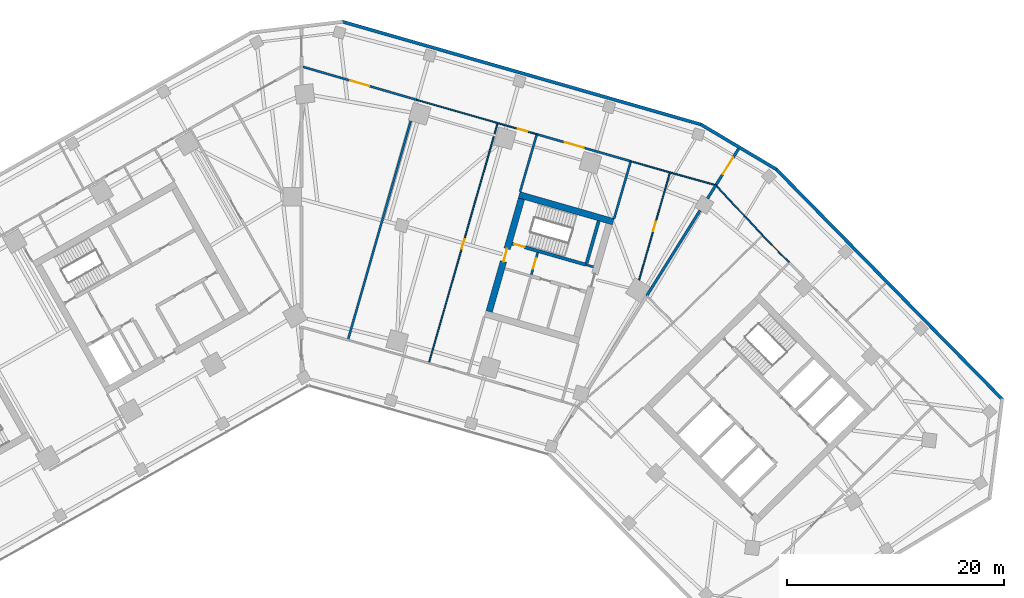
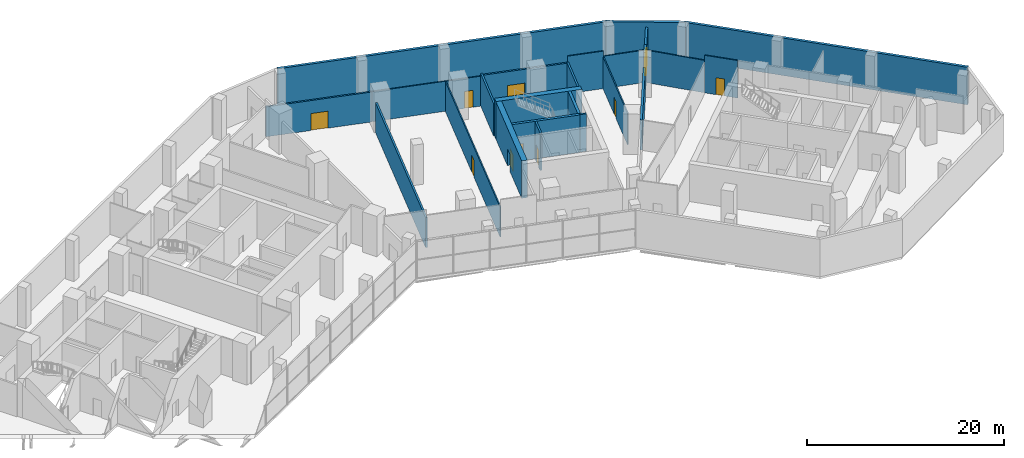
# One storey, part 12 of 15: 25 walls, 10 doors, 10 openings.
"""IFC4 building model written with IfcOpenShell, lengths in metres."""

from ifc_helpers import new_model, si_unit, direction, frame, frame_2d, origin, place, context, subcontext, project, spatial, rectangle, extrude, material, layer, layer_set, type_object, element, fill, save


model = new_model("IFC4")

# Units and contexts
model_context = context("Model", 3, precision=1e-05, world=origin(), true_north=direction((0.0, 1.0)))
body_context = subcontext(model_context, "Body", "Model", "MODEL_VIEW")
ifc_project = project(units=[si_unit("LENGTHUNIT", "METRE"), si_unit("AREAUNIT", "SQUARE_METRE"), si_unit("VOLUMEUNIT", "CUBIC_METRE"), si_unit("PLANEANGLEUNIT", "RADIAN"), si_unit("MASSUNIT", "GRAM", prefix="KILO")], contexts=[model_context])

# Site, building, storey
site_placement = place(None, origin())
site = spatial("IfcSite", under=ifc_project, at=site_placement, CompositionType="ELEMENT")
building_placement = place(site_placement, origin())
building = spatial("IfcBuilding", under=site, at=building_placement, Name="Binnacle Exchange Tower", CompositionType="ELEMENT")
storey_placement = place(building_placement, frame((0.0, 0.0, 16.5)))
storey = spatial("IfcBuildingStorey", under=building, at=storey_placement, Name="L03", CompositionType="ELEMENT", Elevation=16.5)

# Wall
ifc_material_1 = material(Name="Concrete C70/85", Category="concrete")
ifc_layer_1 = layer(ifc_material_1, 0.60009765625)
ifc_layer_set_1 = layer_set([ifc_layer_1], Name="Core wall - outer 600")
wall_type_1 = type_object("IfcWallType", Name="Core wall - outer 600", PredefinedType="SOLIDWALL", material=ifc_layer_set_1)
wall_1_placement = place(storey_placement, frame((20.052734375, 60.1796875, 0.0), z_axis=(0.0, 0.0, 1.0), x_axis=(0.96126248289, -0.275634611374, 0.0)))
element("IfcWall", 1, at=wall_1_placement, inside=storey, type_object=wall_type_1, Name="Core wall CRWD6", PredefinedType="SOLIDWALL", context=body_context, shape_type="SweptSolid", body=[
    extrude(rectangle(XDim=9.0, YDim=0.60009765625, at=frame_2d((4.5, 0.0))), origin(), (0.0, 0.0, 1.0), 4.64990234375),
])

# Wall, opening, door
wall_2_placement = place(storey_placement, frame((17.28173828125, 49.427001953125, 0.0), z_axis=(0.0, 0.0, 1.0), x_axis=(0.275631631629, 0.961263337304, 0.0)))
wall_2 = element("IfcWall", 2, at=wall_2_placement, inside=storey, type_object=wall_type_1, Name="Core wall CRWD7", PredefinedType="SOLIDWALL", context=body_context, shape_type="SweptSolid", body=[
    extrude(rectangle(XDim=10.800048828125, YDim=0.60009765625, at=frame_2d((5.39990234375, 0.0))), origin(), (0.0, 0.0, 1.0), 4.64990234375),
])
opening_1_placement = place(wall_2_placement, frame((4.800048828125, 0.0, 0.0)))
opening_1 = element("IfcOpeningElement", 3, at=opening_1_placement, cuts=wall_2, Name="Opening DD5", PredefinedType="OPENING", context=body_context, shape_type="SweptSolid", body=[
    extrude(rectangle(XDim=1.199951171875, YDim=2.10009765625, at=frame_2d((0.60009765625, 1.050048828125))), frame((0.0, 0.31005859375, 0.0), z_axis=(0.0, -1.0, 0.0), x_axis=(1.0, 0.0, 0.0)), (0.0, 0.0, 1.0), 0.6201171875),
])
ifc_material_2 = material(Name="Steel door leaf", Category="steel")
door_type_1 = type_object("IfcDoorType", Name="Fire door 1200", OperationType="NOTDEFINED", PredefinedType="DOOR", material=ifc_material_2)
door_1_placement = place(opening_1_placement, origin())
door_1 = element("IfcDoor", 4, at=door_1_placement, inside=storey, type_object=door_type_1, Name="Vestibule exit door VEST-W", OperationType="SINGLE_SWING_RIGHT", OverallHeight=2.10009765625, OverallWidth=1.199951171875, PredefinedType="DOOR", context=body_context, shape_type="SweptSolid", body=[
    extrude(rectangle(XDim=1.199951171875, YDim=2.10009765625, at=frame_2d((0.60009765625, 1.050048828125))), frame((0.0, 0.02490234375, 0.0), z_axis=(0.0, -1.0, 0.0), x_axis=(1.0, 0.0, 0.0)), (0.0, 0.0, 1.0), 0.050048828125),
])
fill(opening_1, door_1)

ifc_layer_2 = layer(ifc_material_1, 0.300048828125)
ifc_layer_set_2 = layer_set([ifc_layer_2], Name="Core wall - stair 300")
wall_type_2 = type_object("IfcWallType", Name="Core wall - stair 300", PredefinedType="SOLIDWALL", material=ifc_layer_set_2)
wall_3_placement = place(storey_placement, frame((19.38916015625, 55.688720703125, 0.0), z_axis=(0.0, 0.0, 1.0), x_axis=(0.961261397636, -0.275638396117, 0.0)))
wall_3 = element("IfcWall", 5, at=wall_3_placement, inside=storey, type_object=wall_type_2, Name="Core wall CRWD4", PredefinedType="SOLIDWALL", context=body_context, shape_type="SweptSolid", body=[
    extrude(rectangle(XDim=7.10009765625, YDim=0.300048828125, at=frame_2d((3.550048828125, 0.0))), origin(), (0.0, 0.0, 1.0), 4.64990234375),
])
opening_2_placement = place(wall_3_placement, frame((0.199951171875, 0.0, 0.0)))
opening_2 = element("IfcOpeningElement", 6, at=opening_2_placement, cuts=wall_3, Name="Opening DD1", PredefinedType="OPENING", context=body_context, shape_type="SweptSolid", body=[
    extrude(rectangle(XDim=1.0, YDim=2.10009765625, at=frame_2d((0.5, 1.050048828125))), frame((0.0, 0.159912109375, 0.0), z_axis=(0.0, -1.0, 0.0), x_axis=(1.0, 0.0, 0.0)), (0.0, 0.0, 1.0), 0.320068359375),
])
door_type_2 = type_object("IfcDoorType", Name="Fire door 1000", OperationType="NOTDEFINED", PredefinedType="DOOR", material=ifc_material_2)
door_2_placement = place(opening_2_placement, origin())
door_2 = element("IfcDoor", 7, at=door_2_placement, inside=storey, type_object=door_type_2, Name="Stair door ST-D1", OperationType="SINGLE_SWING_LEFT", OverallHeight=2.10009765625, OverallWidth=1.0, PredefinedType="DOOR", context=body_context, shape_type="SweptSolid", body=[
    extrude(rectangle(XDim=1.0, YDim=2.10009765625, at=frame_2d((0.5, 1.050048828125))), frame((0.0, 0.02490234375, 0.0), z_axis=(0.0, -1.0, 0.0), x_axis=(1.0, 0.0, 0.0)), (0.0, 0.0, 1.0), 0.050048828125),
])
fill(opening_2, door_2)

# Walls
wall_4_placement = place(storey_placement, frame((26.255615234375, 53.875732421875, 0.0), z_axis=(0.0, 0.0, 1.0), x_axis=(0.275612739511, 0.961268754209, 0.0)))
element("IfcWall", 8, at=wall_4_placement, inside=storey, type_object=wall_type_2, Name="Core wall CRWD11", PredefinedType="SOLIDWALL", context=body_context, shape_type="SweptSolid", body=[
    extrude(rectangle(XDim=4.0498046875, YDim=0.300048828125, at=frame_2d((2.02490234375, 0.0))), origin(), (0.0, 0.0, 1.0), 4.64990234375),
])
ifc_material_3 = material(Name="Bronze aluminium louvre", Category="aluminium")
ifc_layer_3 = layer(ifc_material_3, 0.300048828125)
ifc_layer_set_3 = layer_set([ifc_layer_3], Name="External wall - podium louvre 300")
wall_type_3 = type_object("IfcWallType", Name="External wall - podium louvre 300", PredefinedType="STANDARD", material=ifc_layer_set_3)
wall_5_placement = place(storey_placement, frame((3.74658203125, 76.127197265625, 0.0), z_axis=(0.0, 0.0, 1.0), x_axis=(0.961261546185, -0.275637878067, 0.0)))
element("IfcWall", 9, at=wall_5_placement, inside=storey, type_object=wall_type_3, Name="External wall EW-P00 L03", PredefinedType="STANDARD", context=body_context, shape_type="SweptSolid", body=[
    extrude(rectangle(XDim=34.39453125, YDim=0.300048828125, at=frame_2d((17.197265625, 0.0))), origin(), (0.0, 0.0, 1.0), 4.64990234375),
])
wall_6_placement = place(storey_placement, frame((43.706298828125, 62.54296875, 0.0), z_axis=(0.0, 0.0, 1.0), x_axis=(0.700910890875, -0.713248850719, 0.0)))
element("IfcWall", 10, at=wall_6_placement, inside=storey, type_object=wall_type_3, Name="External wall EW-P12 L03", PredefinedType="STANDARD", context=body_context, shape_type="SweptSolid", body=[
    extrude(rectangle(XDim=29.780517578125, YDim=0.300048828125, at=frame_2d((14.89013671875, 0.0))), origin(), (0.0, 0.0, 1.0), 4.64990234375),
])
wall_7_placement = place(storey_placement, frame((36.7734375, 66.662109375, 0.0), z_axis=(0.0, 0.0, 1.0), x_axis=(0.859395976805, -0.511310624817, 0.0)))
element("IfcWall", 11, at=wall_7_placement, inside=storey, type_object=wall_type_3, Name="External wall EW-P13 L03", PredefinedType="STANDARD", context=body_context, shape_type="SweptSolid", body=[
    extrude(rectangle(XDim=8.102294921875, YDim=0.300048828125, at=frame_2d((4.05126953125, 0.0))), origin(), (0.0, 0.0, 1.0), 4.64990234375),
])

# Wall, opening, door
ifc_material_4 = material(Name="Masonry block wall", Category="masonry")
ifc_layer_4 = layer(ifc_material_4, 0.199951171875)
ifc_layer_set_4 = layer_set([ifc_layer_4], Name="Fire wall - block 200")
wall_type_4 = type_object("IfcWallType", Name="Fire wall - block 200", PredefinedType="PARTITIONING", material=ifc_layer_set_4)
wall_8_placement = place(storey_placement, frame((0.0, 72.0, 0.0), z_axis=(0.0, 0.0, 1.0), x_axis=(0.960375968852, -0.278707729443, 0.0)))
wall_8 = element("IfcWall", 12, at=wall_8_placement, inside=storey, type_object=wall_type_4, Name="Partition W47", PredefinedType="PARTITIONING", context=body_context, shape_type="SweptSolid", body=[
    extrude(rectangle(XDim=11.058349609375, YDim=0.199951171875, at=frame_2d((5.529296875, 0.0))), origin(), (0.0, 0.0, 1.0), 3.7119140625),
])
opening_3_placement = place(wall_8_placement, frame((4.699951171875, 0.0, 0.0)))
opening_3 = element("IfcOpeningElement", 13, at=opening_3_placement, cuts=wall_8, Name="Opening DL03-18", PredefinedType="OPENING", context=body_context, shape_type="SweptSolid", body=[
    extrude(rectangle(XDim=1.800048828125, YDim=2.10009765625, at=frame_2d((0.89990234375, 1.050048828125))), frame((0.0, 0.10986328125, 0.0), z_axis=(0.0, -1.0, 0.0), x_axis=(1.0, 0.0, 0.0)), (0.0, 0.0, 1.0), 0.219970703125),
])
door_type_3 = type_object("IfcDoorType", Name="Fire door 1800", OperationType="NOTDEFINED", PredefinedType="DOOR", material=ifc_material_2)
door_3_placement = place(opening_3_placement, frame((1.800048828125, 0.0, 0.0), z_axis=(0.0, 0.0, 1.0), x_axis=(-1.0, 0.0, 0.0)))
door_3 = element("IfcDoor", 14, at=door_3_placement, inside=storey, type_object=door_type_3, Name="Door DL03-18", OperationType="DOUBLE_DOOR_SINGLE_SWING", OverallHeight=2.10009765625, OverallWidth=1.800048828125, PredefinedType="DOOR", context=body_context, shape_type="SweptSolid", body=[
    extrude(rectangle(XDim=1.800048828125, YDim=2.10009765625, at=frame_2d((0.89990234375, 1.050048828125))), frame((0.0, 0.02490234375, 0.0), z_axis=(0.0, -1.0, 0.0), x_axis=(1.0, 0.0, 0.0)), (0.0, 0.0, 1.0), 0.050048828125),
])
fill(opening_3, door_3)

# Walls
wall_9_placement = place(storey_placement, frame((4.280029296875, 46.80908203125, 0.0), z_axis=(0.0, 0.0, 1.0), x_axis=(0.27566906052, 0.961252604195, 0.0)))
element("IfcWall", 15, at=wall_9_placement, inside=storey, type_object=wall_type_4, Name="Partition W48", PredefinedType="PARTITIONING", context=body_context, shape_type="SweptSolid", body=[
    extrude(rectangle(XDim=20.985107421875, YDim=0.199951171875, at=frame_2d((10.49267578125, 0.0))), origin(), (0.0, 0.0, 1.0), 3.7119140625),
])
wall_10_placement = place(storey_placement, frame((20.135986328125, 60.468017578125, 0.0), z_axis=(0.0, 0.0, 1.0), x_axis=(0.279630121779, 0.96010780384, 0.0)))
element("IfcWall", 16, at=wall_10_placement, inside=storey, type_object=wall_type_4, Name="Partition W56", PredefinedType="PARTITIONING", context=body_context, shape_type="SweptSolid", body=[
    extrude(rectangle(XDim=5.50048828125, YDim=0.199951171875, at=frame_2d((2.750244140625, 0.0))), origin(), (0.0, 0.0, 1.0), 4.01806640625),
])

# Wall, opening, door
wall_11_placement = place(storey_placement, frame((21.674072265625, 65.7490234375, 0.0), z_axis=(0.0, 0.0, 1.0), x_axis=(0.961259417468, -0.275645301662, 0.0)))
wall_11 = element("IfcWall", 17, at=wall_11_placement, inside=storey, type_object=wall_type_4, Name="Partition W57", PredefinedType="PARTITIONING", context=body_context, shape_type="SweptSolid", body=[
    extrude(rectangle(XDim=9.00048828125, YDim=0.199951171875, at=frame_2d((4.500244140625, 0.0))), origin(), (0.0, 0.0, 1.0), 3.822021484375),
])
opening_4_placement = place(wall_11_placement, frame((2.699951171875, 0.0, 0.0)))
opening_4 = element("IfcOpeningElement", 18, at=opening_4_placement, cuts=wall_11, Name="Opening DL03-21", PredefinedType="OPENING", context=body_context, shape_type="SweptSolid", body=[
    extrude(rectangle(XDim=1.800048828125, YDim=2.10009765625, at=frame_2d((0.89990234375, 1.050048828125))), frame((0.0, 0.10986328125, 0.0), z_axis=(0.0, -1.0, 0.0), x_axis=(1.0, 0.0, 0.0)), (0.0, 0.0, 1.0), 0.219970703125),
])
door_4_placement = place(opening_4_placement, frame((1.800048828125, 0.0, 0.0), z_axis=(0.0, 0.0, 1.0), x_axis=(-1.0, 0.0, 0.0)))
door_4 = element("IfcDoor", 19, at=door_4_placement, inside=storey, type_object=door_type_3, Name="Door DL03-21", OperationType="DOUBLE_DOOR_SINGLE_SWING", OverallHeight=2.10009765625, OverallWidth=1.800048828125, PredefinedType="DOOR", context=body_context, shape_type="SweptSolid", body=[
    extrude(rectangle(XDim=1.800048828125, YDim=2.10009765625, at=frame_2d((0.89990234375, 1.050048828125))), frame((0.0, 0.02490234375, 0.0), z_axis=(0.0, -1.0, 0.0), x_axis=(1.0, 0.0, 0.0)), (0.0, 0.0, 1.0), 0.050048828125),
])
fill(opening_4, door_4)

# Walls
wall_12_placement = place(storey_placement, frame((28.787109375, 57.987060546875, 0.0), z_axis=(0.0, 0.0, 1.0), x_axis=(0.279752860161, 0.960072047938, 0.0)))
element("IfcWall", 20, at=wall_12_placement, inside=storey, type_object=wall_type_4, Name="Partition W66", PredefinedType="PARTITIONING", context=body_context, shape_type="SweptSolid", body=[
    extrude(rectangle(XDim=5.500732421875, YDim=0.199951171875, at=frame_2d((2.75048828125, 0.0))), origin(), (0.0, 0.0, 1.0), 3.922119140625),
])
ifc_material_5 = material(Name="Concrete fire wall C30/37", Category="concrete")
ifc_layer_5 = layer(ifc_material_5, 0.25)
ifc_layer_set_5 = layer_set([ifc_layer_5], Name="Fire wall - compartment 250")
wall_type_5 = type_object("IfcWallType", Name="Fire wall - compartment 250", PredefinedType="PARTITIONING", material=ifc_layer_set_5)
wall_13_placement = place(storey_placement, frame((31.794921875, 50.883056640625, 0.0), z_axis=(0.0, 0.0, 1.0), x_axis=(0.529939676421, 0.848035340864, 0.0)))
element("IfcWall", 21, at=wall_13_placement, inside=storey, type_object=wall_type_5, Name="Fire Wall W70", PredefinedType="PARTITIONING", context=body_context, shape_type="SweptSolid", body=[
    extrude(rectangle(XDim=9.257568359375, YDim=0.25, at=frame_2d((4.62890625, 0.0))), origin(), (0.0, 0.0, 1.0), 3.72998046875),
])
wall_14_placement = place(storey_placement, frame((37.389892578125, 59.8369140625, 0.0), z_axis=(0.0, 0.0, 1.0), x_axis=(0.530151180786, 0.84790313451, 0.0)))
element("IfcWall", 22, at=wall_14_placement, inside=storey, type_object=wall_type_5, Name="Fire Wall W73", PredefinedType="PARTITIONING", context=body_context, shape_type="SweptSolid", body=[
    extrude(rectangle(XDim=1.44140625, YDim=0.25, at=frame_2d((0.720703125, 0.0))), origin(), (0.0, 0.0, 1.0), 4.64990234375),
])

# Wall, opening, door
wall_15_placement = place(storey_placement, frame((38.154052734375, 61.05908203125, 0.0), z_axis=(0.0, 0.0, 1.0), x_axis=(0.529921368013, 0.848046781565, 0.0)))
wall_15 = element("IfcWall", 23, at=wall_15_placement, inside=storey, type_object=wall_type_5, Name="Fire Wall W75", PredefinedType="PARTITIONING", context=body_context, shape_type="SweptSolid", body=[
    extrude(rectangle(XDim=3.960693359375, YDim=0.25, at=frame_2d((1.98046875, 0.0))), origin(), (0.0, 0.0, 1.0), 4.02392578125),
])
opening_5_placement = place(wall_15_placement, frame((1.199951171875, 0.0, 0.0)))
opening_5 = element("IfcOpeningElement", 24, at=opening_5_placement, cuts=wall_15, Name="Opening DL03-34", PredefinedType="OPENING", context=body_context, shape_type="SweptSolid", body=[
    extrude(rectangle(XDim=1.800048828125, YDim=2.10009765625, at=frame_2d((0.89990234375, 1.050048828125))), frame((0.0, 0.135009765625, 0.0), z_axis=(0.0, -1.0, 0.0), x_axis=(1.0, 0.0, 0.0)), (0.0, 0.0, 1.0), 0.27001953125),
])
door_5_placement = place(opening_5_placement, origin())
door_5 = element("IfcDoor", 25, at=door_5_placement, inside=storey, type_object=door_type_3, Name="Door DL03-34", OperationType="DOUBLE_DOOR_SINGLE_SWING", OverallHeight=2.10009765625, OverallWidth=1.800048828125, PredefinedType="DOOR", context=body_context, shape_type="SweptSolid", body=[
    extrude(rectangle(XDim=1.800048828125, YDim=2.10009765625, at=frame_2d((0.89990234375, 1.050048828125))), frame((0.0, 0.02490234375, 0.0), z_axis=(0.0, -1.0, 0.0), x_axis=(1.0, 0.0, 0.0)), (0.0, 0.0, 1.0), 0.050048828125),
])
fill(opening_5, door_5)

ifc_layer_6 = layer(ifc_material_4, 0.199951171875)
ifc_layer_set_6 = layer_set([ifc_layer_6], Name="Fire wall - vestibule 200")
wall_type_6 = type_object("IfcWallType", Name="Fire wall - vestibule 200", PredefinedType="PARTITIONING", material=ifc_layer_set_6)
wall_16_placement = place(storey_placement, frame((21.172119140625, 52.836669921875, 0.0), z_axis=(0.0, 0.0, 1.0), x_axis=(0.275657676022, 0.961255868981, 0.0)))
wall_16 = element("IfcWall", 26, at=wall_16_placement, inside=storey, type_object=wall_type_6, Name="Core wall CRWD9", PredefinedType="PARTITIONING", context=body_context, shape_type="SweptSolid", body=[
    extrude(rectangle(XDim=2.099853515625, YDim=0.199951171875, at=frame_2d((1.0498046875, 0.0))), origin(), (0.0, 0.0, 1.0), 4.64990234375),
])
opening_6_placement = place(wall_16_placement, frame((0.550048828125, 0.0, 0.0)))
opening_6 = element("IfcOpeningElement", 27, at=opening_6_placement, cuts=wall_16, Name="Opening DD3", PredefinedType="OPENING", context=body_context, shape_type="SweptSolid", body=[
    extrude(rectangle(XDim=1.0, YDim=2.10009765625, at=frame_2d((0.5, 1.050048828125))), frame((0.0, 0.10986328125, 0.0), z_axis=(0.0, -1.0, 0.0), x_axis=(1.0, 0.0, 0.0)), (0.0, 0.0, 1.0), 0.219970703125),
])
door_6_placement = place(opening_6_placement, origin())
door_6 = element("IfcDoor", 28, at=door_6_placement, inside=storey, type_object=door_type_2, Name="Vestibule door VEST-W", OperationType="SINGLE_SWING_RIGHT", OverallHeight=2.10009765625, OverallWidth=1.0, PredefinedType="DOOR", context=body_context, shape_type="SweptSolid", body=[
    extrude(rectangle(XDim=1.0, YDim=2.10009765625, at=frame_2d((0.5, 1.050048828125))), frame((0.0, 0.02490234375, 0.0), z_axis=(0.0, -1.0, 0.0), x_axis=(1.0, 0.0, 0.0)), (0.0, 0.0, 1.0), 0.050048828125),
])
fill(opening_6, door_6)

# Wall
ifc_material_6 = material(Name="Gypsum partition")
ifc_layer_7 = layer(ifc_material_6, 0.125)
ifc_layer_set_7 = layer_set([ifc_layer_7], Name="Partition 125")
wall_type_7 = type_object("IfcWallType", Name="Partition 125", PredefinedType="PARTITIONING", material=ifc_layer_set_7)
wall_17_placement = place(storey_placement, frame((10.6201171875, 68.91796875, 0.0), z_axis=(0.0, 0.0, 1.0), x_axis=(0.961260764876, -0.275640602796, 0.0)))
element("IfcWall", 29, at=wall_17_placement, inside=storey, type_object=wall_type_7, Name="Partition W50", PredefinedType="PARTITIONING", context=body_context, shape_type="SweptSolid", body=[
    extrude(rectangle(XDim=7.749267578125, YDim=0.125, at=frame_2d((3.87451171875, 0.0))), origin(), (0.0, 0.0, 1.0), 3.7119140625),
])

# Wall, opening, door
wall_18_placement = place(storey_placement, frame((11.72998046875, 44.673095703125, 0.0), z_axis=(0.0, 0.0, 1.0), x_axis=(0.275616869382, 0.961267570093, 0.0)))
wall_18 = element("IfcWall", 30, at=wall_18_placement, inside=storey, type_object=wall_type_7, Name="Partition W52", PredefinedType="PARTITIONING", context=body_context, shape_type="SweptSolid", body=[
    extrude(rectangle(XDim=22.999755859375, YDim=0.125, at=frame_2d((11.5, 0.0))), origin(), (0.0, 0.0, 1.0), 3.7119140625),
])
opening_7_placement = place(wall_18_placement, frame((10.949951171875, 0.0, 0.0)))
opening_7 = element("IfcOpeningElement", 31, at=opening_7_placement, cuts=wall_18, Name="Opening DL03-19", PredefinedType="OPENING", context=body_context, shape_type="SweptSolid", body=[
    extrude(rectangle(XDim=0.89990234375, YDim=2.10009765625, at=frame_2d((0.449951171875, 1.050048828125))), frame((0.0, 0.072509765625, 0.0), z_axis=(0.0, -1.0, 0.0), x_axis=(1.0, 0.0, 0.0)), (0.0, 0.0, 1.0), 0.14501953125),
])
ifc_material_7 = material(Name="Timber door leaf", Category="wood")
door_type_4 = type_object("IfcDoorType", Name="Door 900", OperationType="NOTDEFINED", PredefinedType="DOOR", material=ifc_material_7)
door_7_placement = place(opening_7_placement, origin())
door_7 = element("IfcDoor", 32, at=door_7_placement, inside=storey, type_object=door_type_4, Name="Door DL03-19", OperationType="SINGLE_SWING_LEFT", OverallHeight=2.10009765625, OverallWidth=0.89990234375, PredefinedType="DOOR", context=body_context, shape_type="SweptSolid", body=[
    extrude(rectangle(XDim=0.89990234375, YDim=2.10009765625, at=frame_2d((0.449951171875, 1.050048828125))), frame((0.0, 0.02490234375, 0.0), z_axis=(0.0, -1.0, 0.0), x_axis=(1.0, 0.0, 0.0)), (0.0, 0.0, 1.0), 0.050048828125),
])
fill(opening_7, door_7)

wall_19_placement = place(storey_placement, frame((18.069091796875, 66.781982421875, 0.0), z_axis=(0.0, 0.0, 1.0), x_axis=(0.961314848061, -0.275451924837, 0.0)))
wall_19 = element("IfcWall", 33, at=wall_19_placement, inside=storey, type_object=wall_type_7, Name="Partition W55", PredefinedType="PARTITIONING", context=body_context, shape_type="SweptSolid", body=[
    extrude(rectangle(XDim=3.75, YDim=0.125, at=frame_2d((1.875, 0.0))), origin(), (0.0, 0.0, 1.0), 3.7119140625),
])
opening_8_placement = place(wall_19_placement, frame((1.949951171875, 0.0, 0.0)))
opening_8 = element("IfcOpeningElement", 34, at=opening_8_placement, cuts=wall_19, Name="Opening DL03-17", PredefinedType="OPENING", context=body_context, shape_type="SweptSolid", body=[
    extrude(rectangle(XDim=0.89990234375, YDim=2.10009765625, at=frame_2d((0.449951171875, 1.050048828125))), frame((0.0, 0.072509765625, 0.0), z_axis=(0.0, -1.0, 0.0), x_axis=(1.0, 0.0, 0.0)), (0.0, 0.0, 1.0), 0.14501953125),
])
door_8_placement = place(opening_8_placement, origin())
door_8 = element("IfcDoor", 35, at=door_8_placement, inside=storey, type_object=door_type_4, Name="Door DL03-17", OperationType="SINGLE_SWING_RIGHT", OverallHeight=2.10009765625, OverallWidth=0.89990234375, PredefinedType="DOOR", context=body_context, shape_type="SweptSolid", body=[
    extrude(rectangle(XDim=0.89990234375, YDim=2.10009765625, at=frame_2d((0.449951171875, 1.050048828125))), frame((0.0, 0.02490234375, 0.0), z_axis=(0.0, -1.0, 0.0), x_axis=(1.0, 0.0, 0.0)), (0.0, 0.0, 1.0), 0.050048828125),
])
fill(opening_8, door_8)

# Wall
wall_20_placement = place(storey_placement, frame((30.325927734375, 63.26806640625, 0.0), z_axis=(0.0, 0.0, 1.0), x_axis=(0.96120880595, -0.275821738383, 0.0)))
element("IfcWall", 36, at=wall_20_placement, inside=storey, type_object=wall_type_7, Name="Partition W67", PredefinedType="PARTITIONING", context=body_context, shape_type="SweptSolid", body=[
    extrude(rectangle(XDim=3.74951171875, YDim=0.125, at=frame_2d((1.874755859375, 0.0))), origin(), (0.0, 0.0, 1.0), 4.64990234375),
])

# Wall, opening, door
wall_21_placement = place(storey_placement, frame((31.089111328125, 52.326904296875, 0.0), z_axis=(0.0, 0.0, 1.0), x_axis=(0.275640835953, 0.961260698019, 0.0)))
wall_21 = element("IfcWall", 37, at=wall_21_placement, inside=storey, type_object=wall_type_7, Name="Partition W68", PredefinedType="PARTITIONING", context=body_context, shape_type="SweptSolid", body=[
    extrude(rectangle(XDim=10.30615234375, YDim=0.125, at=frame_2d((5.153076171875, 0.0))), origin(), (0.0, 0.0, 1.0), 3.922119140625),
])
opening_9_placement = place(wall_21_placement, frame((4.699951171875, 0.0, 0.0)))
opening_9 = element("IfcOpeningElement", 38, at=opening_9_placement, cuts=wall_21, Name="Opening DL03-20", PredefinedType="OPENING", context=body_context, shape_type="SweptSolid", body=[
    extrude(rectangle(XDim=0.89990234375, YDim=2.10009765625, at=frame_2d((0.449951171875, 1.050048828125))), frame((0.0, 0.072509765625, 0.0), z_axis=(0.0, -1.0, 0.0), x_axis=(1.0, 0.0, 0.0)), (0.0, 0.0, 1.0), 0.14501953125),
])
door_9_placement = place(opening_9_placement, frame((0.89990234375, 0.0, 0.0), z_axis=(0.0, 0.0, 1.0), x_axis=(-1.0, 0.0, 0.0)))
door_9 = element("IfcDoor", 39, at=door_9_placement, inside=storey, type_object=door_type_4, Name="Door DL03-20", OperationType="SINGLE_SWING_RIGHT", OverallHeight=2.10009765625, OverallWidth=0.89990234375, PredefinedType="DOOR", context=body_context, shape_type="SweptSolid", body=[
    extrude(rectangle(XDim=0.89990234375, YDim=2.10009765625, at=frame_2d((0.449951171875, 1.050048828125))), frame((0.0, 0.02490234375, 0.0), z_axis=(0.0, -1.0, 0.0), x_axis=(1.0, 0.0, 0.0)), (0.0, 0.0, 1.0), 0.050048828125),
])
fill(opening_9, door_9)

# Walls
wall_22_placement = place(storey_placement, frame((33.929931640625, 62.23388671875, 0.0), z_axis=(0.0, 0.0, 1.0), x_axis=(0.963433299433, -0.267948274007, 0.0)))
element("IfcWall", 40, at=wall_22_placement, inside=storey, type_object=wall_type_7, Name="Partition W71", PredefinedType="PARTITIONING", context=body_context, shape_type="SweptSolid", body=[
    extrude(rectangle(XDim=4.384521484375, YDim=0.125, at=frame_2d((2.1923828125, 0.0))), origin(), (0.0, 0.0, 1.0), 4.01806640625),
])
wall_23_placement = place(storey_placement, frame((38.154052734375, 61.05908203125, 0.0), z_axis=(0.0, 0.0, 1.0), x_axis=(0.681663875787, -0.731665470312, 0.0)))
element("IfcWall", 41, at=wall_23_placement, inside=storey, type_object=wall_type_7, Name="Partition W76", PredefinedType="PARTITIONING", context=body_context, shape_type="SweptSolid", body=[
    extrude(rectangle(XDim=6.303466796875, YDim=0.125, at=frame_2d((3.15185546875, 0.0))), origin(), (0.0, 0.0, 1.0), 4.01806640625),
])

# Wall, opening, door
wall_24_placement = place(storey_placement, frame((42.450927734375, 56.447021484375, 0.0), z_axis=(0.0, 0.0, 1.0), x_axis=(0.700941316052, -0.713218950569, 0.0)))
wall_24 = element("IfcWall", 42, at=wall_24_placement, inside=storey, type_object=wall_type_7, Name="Partition W78", PredefinedType="PARTITIONING", context=body_context, shape_type="SweptSolid", body=[
    extrude(rectangle(XDim=3.499755859375, YDim=0.125, at=frame_2d((1.75, 0.0))), origin(), (0.0, 0.0, 1.0), 4.64990234375),
])
opening_10_placement = place(wall_24_placement, frame((1.199951171875, 0.0, 0.0)))
opening_10 = element("IfcOpeningElement", 43, at=opening_10_placement, cuts=wall_24, Name="Opening DL03-25", PredefinedType="OPENING", context=body_context, shape_type="SweptSolid", body=[
    extrude(rectangle(XDim=0.89990234375, YDim=2.10009765625, at=frame_2d((0.449951171875, 1.050048828125))), frame((0.0, 0.072509765625, 0.0), z_axis=(0.0, -1.0, 0.0), x_axis=(1.0, 0.0, 0.0)), (0.0, 0.0, 1.0), 0.14501953125),
])
door_10_placement = place(opening_10_placement, origin())
door_10 = element("IfcDoor", 44, at=door_10_placement, inside=storey, type_object=door_type_4, Name="Door DL03-25", OperationType="SINGLE_SWING_LEFT", OverallHeight=2.10009765625, OverallWidth=0.89990234375, PredefinedType="DOOR", context=body_context, shape_type="SweptSolid", body=[
    extrude(rectangle(XDim=0.89990234375, YDim=2.10009765625, at=frame_2d((0.449951171875, 1.050048828125))), frame((0.0, 0.02490234375, 0.0), z_axis=(0.0, -1.0, 0.0), x_axis=(1.0, 0.0, 0.0)), (0.0, 0.0, 1.0), 0.050048828125),
])
fill(opening_10, door_10)

# Wall
ifc_layer_8 = layer(ifc_material_4, 0.199951171875)
ifc_layer_set_8 = layer_set([ifc_layer_8], Name="Riser wall 200")
wall_type_8 = type_object("IfcWallType", Name="Riser wall 200", PredefinedType="SOLIDWALL", material=ifc_layer_set_8)
wall_25_placement = place(storey_placement, frame((26.214111328125, 53.731689453125, 0.0), z_axis=(0.0, 0.0, 1.0), x_axis=(0.96122076476, -0.27578005982, 0.0)))
element("IfcWall", 45, at=wall_25_placement, inside=storey, type_object=wall_type_8, Name="Core wall CRWD5", PredefinedType="SOLIDWALL", context=body_context, shape_type="SweptSolid", body=[
    extrude(rectangle(XDim=0.7001953125, YDim=0.199951171875, at=frame_2d((0.35009765625, 0.0))), origin(), (0.0, 0.0, 1.0), 4.64990234375),
])

save(model, "model.ifc")
